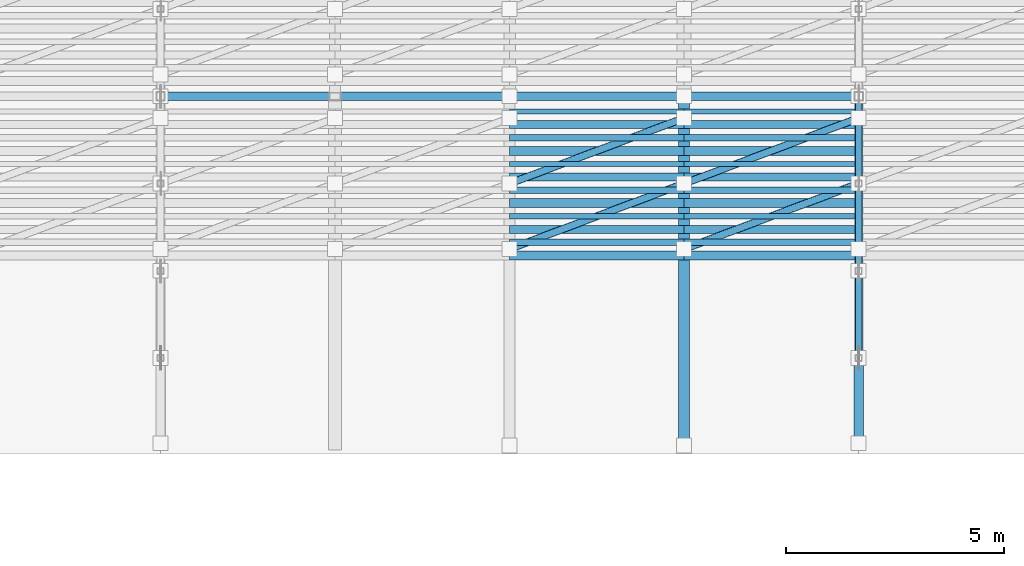
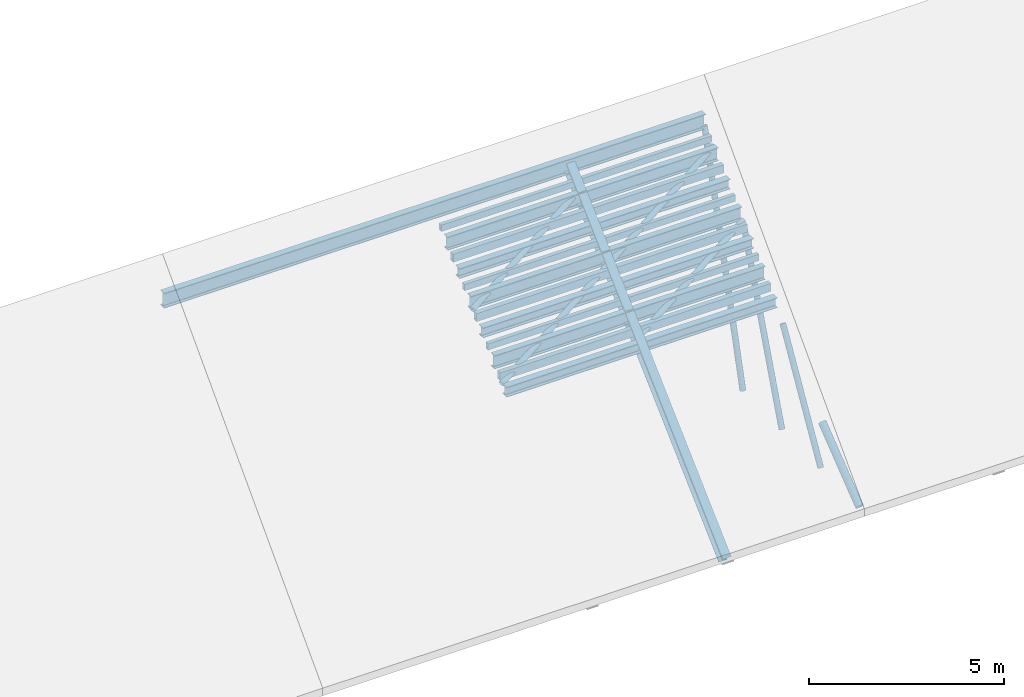
# One storey, part 8 of 18: 34 members.
"""IFC4 building model written with IfcOpenShell, lengths in metres."""

from ifc_helpers import new_model, si_unit, direction, frame, origin, origin_2d, place, context, subcontext, project, spatial, hollow_rectangle, hollow_circle, i_section, extrude, material, material_profile, profile_set, type_object, element, save


model = new_model("IFC4")

# Units and contexts
model_context = context("Model", 3, precision=1e-05, world=origin(), true_north=direction((0.0, 1.0)))
body_context = subcontext(model_context, "Body", "Model", "MODEL_VIEW")
ifc_project = project(units=[si_unit("LENGTHUNIT", "METRE"), si_unit("AREAUNIT", "SQUARE_METRE"), si_unit("VOLUMEUNIT", "CUBIC_METRE"), si_unit("PLANEANGLEUNIT", "RADIAN"), si_unit("MASSUNIT", "GRAM", prefix="KILO")], contexts=[model_context])

# Site, building, storey
site_placement = place(None, origin())
site = spatial("IfcSite", under=ifc_project, at=site_placement, CompositionType="ELEMENT")
building_placement = place(site_placement, origin())
building = spatial("IfcBuilding", under=site, at=building_placement, Name="Serraluz Foothill Cableway Terminal", CompositionType="ELEMENT")
storey_placement = place(building_placement, frame((0.0, 0.0, 24.300048828125)))
storey = spatial("IfcBuildingStorey", under=building, at=storey_placement, Name="RF", CompositionType="ELEMENT", Elevation=24.300048828125)

# Members
ifc_material_1 = material(Name="Steel ASTM A572 Grade 50", Category="steel")
ifc_material_profile_1 = material_profile(ifc_material_1, hollow_circle(Radius=0.084228515625, WallThickness=0.010009765625, at=origin_2d()), Name="CHS168X10")
ifc_profile_set_1 = profile_set([ifc_material_profile_1], Name="Steel ASTM A572 Grade 50")
member_type_1 = type_object("IfcMemberType", Name="TYP-BR-CHS168", PredefinedType="BRACE", material=ifc_profile_set_1)
member_1_placement = place(storey_placement, frame((136.0, 58.0302734375, -4.568115234375), z_axis=(0.0, 0.502584169831, 0.864528283074), x_axis=(-1.0, 0.0, 0.0)))
element("IfcMember", 1, at=member_1_placement, inside=storey, type_object=member_type_1, Name="ROOF TRUSS TR-07 Diagonal 2", PredefinedType="BRACE", context=body_context, shape_type="SweptSolid", body=[
    extrude(hollow_circle(Radius=0.084228515625, WallThickness=0.010009765625, at=origin_2d()), origin(), (0.0, 0.0, 1.0), 3.85888671875),
])
member_2_placement = place(storey_placement, frame((136.0, 60.02099609375, -4.56396484375), z_axis=(0.0, 0.352230195063, 0.935913398604), x_axis=(-1.0, 0.0, 0.0)))
element("IfcMember", 2, at=member_2_placement, inside=storey, type_object=member_type_1, Name="ROOF TRUSS TR-07 Diagonal 3", PredefinedType="BRACE", context=body_context, shape_type="SweptSolid", body=[
    extrude(hollow_circle(Radius=0.084228515625, WallThickness=0.010009765625, at=origin_2d()), origin(), (0.0, 0.0, 1.0), 5.558837890625),
])
member_3_placement = place(storey_placement, frame((136.0, 62.01611328125, -4.562255859375), z_axis=(0.0, 0.26797823219, 0.963424967017), x_axis=(-1.0, 0.0, 0.0)))
element("IfcMember", 3, at=member_3_placement, inside=storey, type_object=member_type_1, Name="ROOF TRUSS TR-07 Diagonal 4", PredefinedType="BRACE", context=body_context, shape_type="SweptSolid", body=[
    extrude(hollow_circle(Radius=0.084228515625, WallThickness=0.010009765625, at=origin_2d()), origin(), (0.0, 0.0, 1.0), 7.343017578125),
])
for number, where, z_axis, x_axis, name in (
    (4, (128.0, 60.5, -0.641357421875), (0.889382269185, 0.333518350944, 0.31267345401), (-0.351123441588, 0.936329177569, 0.0), "Roof Lateral Wind Brace 0641"),
    (5, (128.0, 62.0, 0.764892578125), (0.889382269185, 0.333518350944, 0.31267345401), (-0.351123441588, 0.936329177569, 0.0), "Roof Lateral Wind Brace 0642"),
    (6, (132.0, 60.5, -0.641357421875), (0.889382269185, 0.333518350944, 0.31267345401), (-0.351123441588, 0.936329177569, 0.0), "Roof Lateral Wind Brace 0669"),
    (7, (132.0, 62.0, 0.764892578125), (0.889382269185, 0.333518350944, 0.31267345401), (-0.351123441588, 0.936329177569, 0.0), "Roof Lateral Wind Brace 0670"),
):
    element("IfcMember", number, at=place(storey_placement, frame(where, z_axis=z_axis, x_axis=x_axis)), inside=storey, type_object=member_type_1, Name=name, PredefinedType="BRACE", context=body_context, shape_type="SweptSolid", body=[
        extrude(hollow_circle(Radius=0.084228515625, WallThickness=0.010009765625, at=origin_2d()), origin(), (0.0, 0.0, 1.0), 4.49755859375),
    ])
ifc_material_profile_2 = material_profile(ifc_material_1, hollow_circle(Radius=0.109619140625, WallThickness=0.011962890625, at=origin_2d()), Name="CHS219X12")
ifc_profile_set_2 = profile_set([ifc_material_profile_2], Name="Steel ASTM A572 Grade 50")
member_type_2 = type_object("IfcMemberType", Name="TYP-BR-CHS219", PredefinedType="BRACE", material=ifc_profile_set_2)
member_4_placement = place(storey_placement, frame((136.0, 56.04736328125, -4.5830078125), z_axis=(0.0, 0.787528424659, 0.616278330265), x_axis=(-1.0, 0.0, 0.0)))
element("IfcMember", 8, at=member_4_placement, inside=storey, type_object=member_type_2, Name="ROOF TRUSS TR-07 Diagonal 1", PredefinedType="BRACE", context=body_context, shape_type="SweptSolid", body=[
    extrude(hollow_circle(Radius=0.109619140625, WallThickness=0.011962890625, at=origin_2d()), origin(), (0.0, 0.0, 1.0), 2.419189453125),
])
ifc_material_profile_3 = material_profile(ifc_material_1, hollow_rectangle(XDim=0.1201171875, YDim=0.199951171875, WallThickness=0.008056640625, at=origin_2d()), Name="HSS200X120X8")
ifc_profile_set_3 = profile_set([ifc_material_profile_3], Name="Steel ASTM A572 Grade 50")
member_type_3 = type_object("IfcMemberType", Name="TYP-PR-HSS200X120", PredefinedType="PURLIN", material=ifc_profile_set_3)
for number, where, z_axis, x_axis, name in (
    (9, (128.0, 61.25, 0.081787109375), (1.0, 0.0, 0.0), (0.0, 1.0, 0.0), "Secondary Roof Purlin 0620"),
    (10, (128.0, 62.449951171875, 1.206787109375), (1.0, 0.0, 0.0), (0.0, 1.0, 0.0), "Secondary Roof Purlin 0624"),
    (11, (128.0, 63.64990234375, 2.331787109375), (1.0, 0.0, 0.0), (0.0, 1.0, 0.0), "Secondary Roof Purlin 0628"),
    (12, (132.0, 61.25, 0.081787109375), (1.0, 0.0, 0.0), (0.0, 1.0, 0.0), "Secondary Roof Purlin 0648"),
    (13, (132.0, 62.449951171875, 1.206787109375), (1.0, 0.0, 0.0), (0.0, 1.0, 0.0), "Secondary Roof Purlin 0652"),
    (14, (132.0, 63.64990234375, 2.331787109375), (1.0, 0.0, 0.0), (0.0, 1.0, 0.0), "Secondary Roof Purlin 0656"),
):
    element("IfcMember", number, at=place(storey_placement, frame(where, z_axis=z_axis, x_axis=x_axis)), inside=storey, type_object=member_type_3, Name=name, PredefinedType="PURLIN", context=body_context, shape_type="SweptSolid", body=[
        extrude(hollow_rectangle(XDim=0.1201171875, YDim=0.199951171875, WallThickness=0.008056640625, at=origin_2d()), origin(), (0.0, 0.0, 1.0), 4.0),
    ])
ifc_material_profile_4 = material_profile(ifc_material_1, hollow_rectangle(XDim=0.14990234375, YDim=0.25, WallThickness=0.010009765625, at=origin_2d()), Name="HSS250X150X10")
ifc_profile_set_4 = profile_set([ifc_material_profile_4], Name="Steel ASTM A572 Grade 50")
member_type_4 = type_object("IfcMemberType", Name="TYP-PR-HSS250X150", PredefinedType="PURLIN", material=ifc_profile_set_4)
for number, where, z_axis, x_axis, name in (
    (15, (128.0, 60.64990234375, -0.480712890625), (1.0, 0.0, 0.0), (0.0, 1.0, 0.0), "Secondary Roof Purlin 0618"),
    (16, (128.0, 61.85009765625, 0.644287109375), (1.0, 0.0, 0.0), (0.0, 1.0, 0.0), "Secondary Roof Purlin 0622"),
    (17, (128.0, 63.050048828125, 1.769287109375), (1.0, 0.0, 0.0), (0.0, 1.0, 0.0), "Secondary Roof Purlin 0626"),
    (18, (132.0, 60.64990234375, -0.480712890625), (1.0, 0.0, 0.0), (0.0, 1.0, 0.0), "Secondary Roof Purlin 0646"),
    (19, (132.0, 61.85009765625, 0.644287109375), (1.0, 0.0, 0.0), (0.0, 1.0, 0.0), "Secondary Roof Purlin 0650"),
    (20, (132.0, 63.050048828125, 1.769287109375), (1.0, 0.0, 0.0), (0.0, 1.0, 0.0), "Secondary Roof Purlin 0654"),
):
    element("IfcMember", number, at=place(storey_placement, frame(where, z_axis=z_axis, x_axis=x_axis)), inside=storey, type_object=member_type_4, Name=name, PredefinedType="PURLIN", context=body_context, shape_type="SweptSolid", body=[
        extrude(hollow_rectangle(XDim=0.14990234375, YDim=0.25, WallThickness=0.010009765625, at=origin_2d()), origin(), (0.0, 0.0, 1.0), 4.0),
    ])
ifc_material_2 = material(Name="Steel ASTM A992 Grade 50", Category="steel")
ifc_material_profile_5 = material_profile(ifc_material_2, i_section(OverallWidth=0.205078125, OverallDepth=0.31005859375, WebThickness=0.009521484375, FlangeThickness=0.016357421875, FilletRadius=0.012939453125, at=origin_2d()), Name="W12X50")
ifc_profile_set_5 = profile_set([ifc_material_profile_5], Name="Steel ASTM A992 Grade 50")
member_type_5 = type_object("IfcMemberType", Name="TYP-PR-W12X50", PredefinedType="PURLIN", material=ifc_profile_set_5)
for number, where, z_axis, x_axis, name in (
    (21, (128.0, 60.35009765625, -0.761962890625), (1.0, 0.0, 0.0), (0.0, 1.0, 0.0), "Secondary Roof Purlin 0617"),
    (22, (128.0, 61.550048828125, 0.363037109375), (1.0, 0.0, 0.0), (0.0, 1.0, 0.0), "Secondary Roof Purlin 0621"),
    (23, (128.0, 62.75, 1.488037109375), (1.0, 0.0, 0.0), (0.0, 1.0, 0.0), "Secondary Roof Purlin 0625"),
    (24, (132.0, 60.35009765625, -0.761962890625), (1.0, 0.0, 0.0), (0.0, 1.0, 0.0), "Secondary Roof Purlin 0645"),
    (25, (132.0, 61.550048828125, 0.363037109375), (1.0, 0.0, 0.0), (0.0, 1.0, 0.0), "Secondary Roof Purlin 0649"),
    (26, (132.0, 62.75, 1.488037109375), (1.0, 0.0, 0.0), (0.0, 1.0, 0.0), "Secondary Roof Purlin 0653"),
):
    element("IfcMember", number, at=place(storey_placement, frame(where, z_axis=z_axis, x_axis=x_axis)), inside=storey, type_object=member_type_5, Name=name, PredefinedType="PURLIN", context=body_context, shape_type="SweptSolid", body=[
        extrude(i_section(OverallWidth=0.205078125, OverallDepth=0.31005859375, WebThickness=0.009521484375, FlangeThickness=0.016357421875, FilletRadius=0.012939453125, at=origin_2d()), origin(), (0.0, 0.0, 1.0), 4.0),
    ])
ifc_material_profile_6 = material_profile(ifc_material_2, i_section(OverallWidth=0.180908203125, OverallDepth=0.4169921875, WebThickness=0.010986328125, FlangeThickness=0.018310546875, FilletRadius=0.013916015625, at=origin_2d()), Name="W16X57")
ifc_profile_set_6 = profile_set([ifc_material_profile_6], Name="Steel ASTM A992 Grade 50")
member_type_6 = type_object("IfcMemberType", Name="TYP-PR-W16X57", PredefinedType="PURLIN", material=ifc_profile_set_6)
for number, where, z_axis, x_axis, name in (
    (27, (128.0, 60.949951171875, -0.199462890625), (1.0, 0.0, 0.0), (0.0, 1.0, 0.0), "Secondary Roof Purlin 0619"),
    (28, (128.0, 62.14990234375, 0.925537109375), (1.0, 0.0, 0.0), (0.0, 1.0, 0.0), "Secondary Roof Purlin 0623"),
    (29, (128.0, 63.35009765625, 2.050537109375), (1.0, 0.0, 0.0), (0.0, 1.0, 0.0), "Secondary Roof Purlin 0627"),
    (30, (132.0, 60.949951171875, -0.199462890625), (1.0, 0.0, 0.0), (0.0, 1.0, 0.0), "Secondary Roof Purlin 0647"),
    (31, (132.0, 62.14990234375, 0.925537109375), (1.0, 0.0, 0.0), (0.0, 1.0, 0.0), "Secondary Roof Purlin 0651"),
    (32, (132.0, 63.35009765625, 2.050537109375), (1.0, 0.0, 0.0), (0.0, 1.0, 0.0), "Secondary Roof Purlin 0655"),
):
    element("IfcMember", number, at=place(storey_placement, frame(where, z_axis=z_axis, x_axis=x_axis)), inside=storey, type_object=member_type_6, Name=name, PredefinedType="PURLIN", context=body_context, shape_type="SweptSolid", body=[
        extrude(i_section(OverallWidth=0.180908203125, OverallDepth=0.4169921875, WebThickness=0.010986328125, FlangeThickness=0.018310546875, FilletRadius=0.013916015625, at=origin_2d()), origin(), (0.0, 0.0, 1.0), 4.0),
    ])
ifc_material_profile_7 = material_profile(ifc_material_2, i_section(OverallWidth=0.193115234375, OverallDepth=0.467041015625, WebThickness=0.011474609375, FlangeThickness=0.01904296875, FilletRadius=0.014892578125, at=origin_2d()), Name="W18X65")
ifc_profile_set_7 = profile_set([ifc_material_profile_7], Name="Steel ASTM A992 Grade 50")
member_type_7 = type_object("IfcMemberType", Name="TYP-PR-W18X65", PredefinedType="PURLIN", material=ifc_profile_set_7)
member_5_placement = place(storey_placement, frame((120.0, 64.0, 2.679931640625), z_axis=(1.0, 0.0, 0.0), x_axis=(0.0, 1.0, 0.0)))
element("IfcMember", 33, at=member_5_placement, inside=storey, type_object=member_type_7, Name="Primary Roof Ridge/Eave Purlin 6-64", PredefinedType="PURLIN", context=body_context, shape_type="SweptSolid", body=[
    extrude(i_section(OverallWidth=0.193115234375, OverallDepth=0.467041015625, WebThickness=0.011474609375, FlangeThickness=0.01904296875, FilletRadius=0.014892578125, at=origin_2d()), origin(), (0.0, 0.0, 1.0), 16.0),
])
ifc_material_profile_8 = material_profile(ifc_material_2, i_section(OverallWidth=0.25390625, OverallDepth=0.31103515625, WebThickness=0.010986328125, FlangeThickness=0.01708984375, FilletRadius=0.012939453125, at=origin_2d()), Name="W12X72")
ifc_profile_set_8 = profile_set([ifc_material_profile_8], Name="Steel ASTM A992 Grade 50")
member_type_8 = type_object("IfcMemberType", Name="TYP-ST-W12X72", PredefinedType="STRUT", material=ifc_profile_set_8)
member_6_placement = place(storey_placement, frame((132.0, 56.0, -4.800048828125), z_axis=(0.0, 0.72953720414, 0.683941128881), x_axis=(-1.0, 0.0, 0.0)))
element("IfcMember", 34, at=member_6_placement, inside=storey, type_object=member_type_8, Name="Secondary Roof Rafter 0035", PredefinedType="STRUT", context=body_context, shape_type="SweptSolid", body=[
    extrude(i_section(OverallWidth=0.25390625, OverallDepth=0.31103515625, WebThickness=0.010986328125, FlangeThickness=0.01708984375, FilletRadius=0.012939453125, at=origin_2d()), origin(), (0.0, 0.0, 1.0), 10.9658203125),
])

save(model, "model.ifc")
